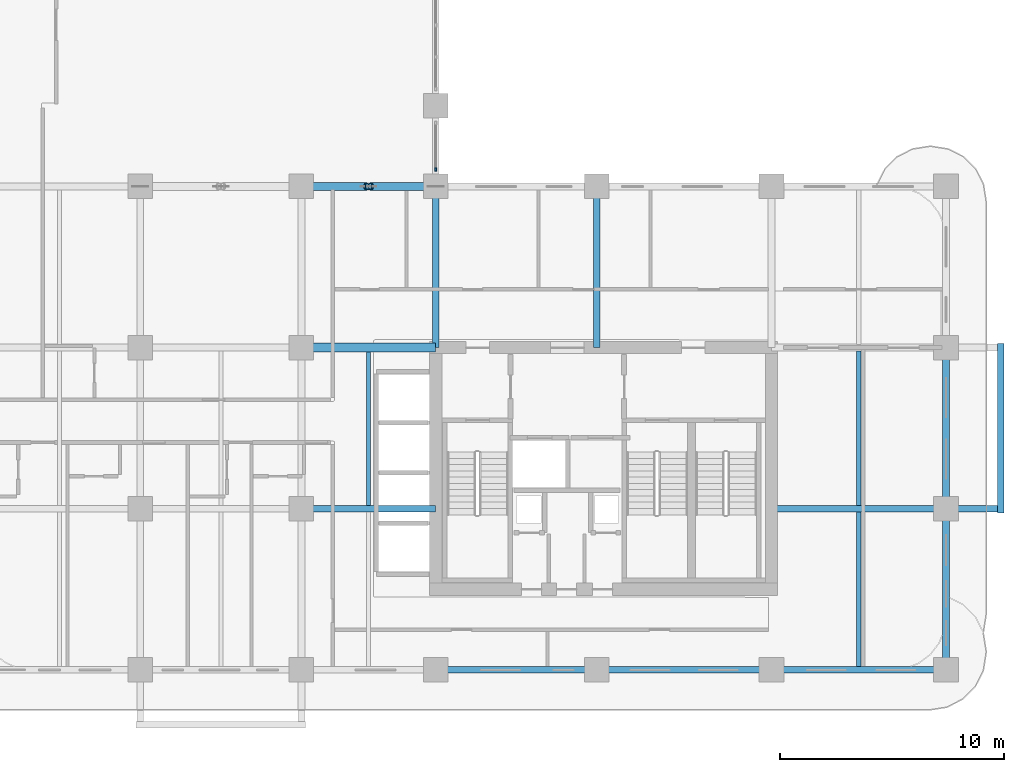
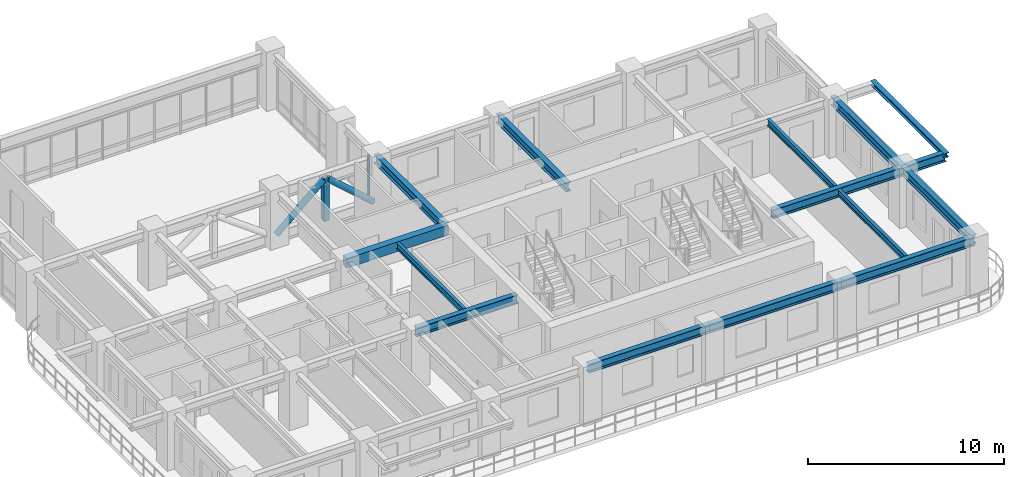
# One storey, part 3 of 21: 14 beams, 4 members, 1 element without a shape of its own.
"""IFC4 building model written with IfcOpenShell, lengths in metres."""

from ifc_helpers import new_model, si_unit, derived_unit, direction, frame, origin, origin_2d, place, context, subcontext, project, spatial, rectangle, hollow_rectangle, hollow_circle, i_section, extrude, source, transform, mapped, material, layer, layer_set, material_profile, profile_set, type_object, type_shapes, element, aggregate, save


model = new_model("IFC4")

# Units and contexts
model_context = context("Model", 3, precision=1e-05, world=origin(), true_north=direction((0.0, 1.0)))
body_context = subcontext(model_context, "Body", "Model", "MODEL_VIEW")
ifc_project = project(units=[si_unit("LENGTHUNIT", "METRE"), si_unit("AREAUNIT", "SQUARE_METRE"), si_unit("VOLUMEUNIT", "CUBIC_METRE"), si_unit("PLANEANGLEUNIT", "RADIAN"), si_unit("MASSUNIT", "GRAM", prefix="KILO"), si_unit("THERMODYNAMICTEMPERATUREUNIT", "KELVIN"), si_unit("POWERUNIT", "WATT"), derived_unit("THERMALTRANSMITTANCEUNIT", [(si_unit("POWERUNIT", "WATT"), 1), (si_unit("AREAUNIT", "SQUARE_METRE"), -1), (si_unit("THERMODYNAMICTEMPERATUREUNIT", "KELVIN"), -1)])], contexts=[model_context])

# Site, building, storey
site_placement = place(None, origin())
site = spatial("IfcSite", under=ifc_project, at=site_placement, CompositionType="ELEMENT")
building_placement = place(site_placement, origin())
building = spatial("IfcBuilding", under=site, at=building_placement, Name="Zahravan Archway Hotel and Residences", CompositionType="ELEMENT")
storey_placement = place(building_placement, frame((0.0, 0.0, 65.699951171875)))
storey = spatial("IfcBuildingStorey", under=building, at=storey_placement, Name="L15", CompositionType="ELEMENT", Elevation=65.699951171875)

# Beams
ifc_material_1 = material(Name="Structural Steel S355JR", Category="steel")
ifc_material_profile_1 = material_profile(ifc_material_1, i_section(OverallWidth=0.280029296875, OverallDepth=0.280029296875, WebThickness=0.010498046875, FlangeThickness=0.01806640625, FilletRadius=0.02392578125, at=origin_2d()), Name="HEB 280", Category="steel")
ifc_profile_set_1 = profile_set([ifc_material_profile_1], Name="Structural Steel S355JR")
beam_type_1 = type_object("IfcBeamType", Name="BM-SPN-HEB280", PredefinedType="SPANDREL", material=ifc_profile_set_1)
shared_shape_1 = source(origin(), body_context, "Body", "SweptSolid", [
    extrude(i_section(OverallWidth=0.280029296875, OverallDepth=0.280029296875, WebThickness=0.010498046875, FlangeThickness=0.01806640625, FilletRadius=0.02392578125, at=origin_2d()), origin(), (0.0, 0.0, 1.0), 7.56005859375),
])
type_shapes(beam_type_1, [shared_shape_1])
beam_1_placement = place(storey_placement, frame((60.050048828125, 7.02001953125, 3.31005859375), z_axis=(0.0, 1.0, 0.0), x_axis=(-1.0, 0.0, 0.0)))
element("IfcBeam", 1, at=beam_1_placement, inside=storey, type_object=beam_type_1, Name="L16 EA Balcony Edge Spandrel", PredefinedType="SPANDREL", context=body_context, shape_type="MappedRepresentation", body=[
    mapped(shared_shape_1, transform((0.0, 0.0, 0.0), scale=1.0)),
])
ifc_material_2 = material(Name="Concrete C60/75", Category="concrete")
ifc_material_profile_2 = material_profile(ifc_material_2, rectangle(XDim=0.39990234375, YDim=0.60009765625, at=origin_2d()), Name="RC-LNT-400x600", Category="concrete")
ifc_profile_set_2 = profile_set([ifc_material_profile_2], Name="Concrete C60/75")
beam_type_2 = type_object("IfcBeamType", Name="LNT-RC-400x600", PredefinedType="LINTEL", material=ifc_profile_set_2)
shared_shape_2 = source(origin(), body_context, "Body", "SweptSolid", [
    extrude(rectangle(XDim=0.39990234375, YDim=0.60009765625, at=origin_2d()), origin(), (0.0, 0.0, 1.0), 6.0),
])
type_shapes(beam_type_2, [shared_shape_2])
beam_2_placement = place(storey_placement, frame((28.800048828125, 14.39990234375, 3.150146484375), z_axis=(1.0, 0.0, 0.0), x_axis=(0.0, 1.0, 0.0)))
element("IfcBeam", 2, at=beam_2_placement, inside=storey, type_object=beam_type_2, Name="L15 Core A Coupling Lintel Beam", PredefinedType="LINTEL", context=body_context, shape_type="MappedRepresentation", body=[
    mapped(shared_shape_2, transform((0.0, 0.0, 0.0), scale=1.0)),
])
ifc_material_profile_3 = material_profile(ifc_material_1, i_section(OverallWidth=0.300048828125, OverallDepth=0.550048828125, WebThickness=0.014892578125, FlangeThickness=0.029052734375, FilletRadius=0.027099609375, at=origin_2d()), Name="HEB 550", Category="steel")
ifc_profile_set_3 = profile_set([ifc_material_profile_3], Name="Structural Steel S355JR")
beam_type_3 = type_object("IfcBeamType", Name="BM-PRI-HEB550", PredefinedType="BEAM", material=ifc_profile_set_3)
shared_shape_3 = source(origin(), body_context, "Body", "SweptSolid", [
    extrude(i_section(OverallWidth=0.300048828125, OverallDepth=0.550048828125, WebThickness=0.014892578125, FlangeThickness=0.029052734375, FilletRadius=0.027099609375, at=origin_2d()), origin(), (0.0, 0.0, 1.0), 7.2001953125),
])
type_shapes(beam_type_3, [shared_shape_3])
for number, where, z_axis, x_axis, name in (
    (3, (34.800048828125, 14.39990234375, 3.175048828125), (0.0, 1.0, 0.0), (-1.0, 0.0, 0.0), "L15 Primary Girder NS-43"),
    (4, (42.0, 14.39990234375, 3.175048828125), (0.0, 1.0, 0.0), (-1.0, 0.0, 0.0), "L15 Primary Girder NS-46"),
):
    element("IfcBeam", number, at=place(storey_placement, frame(where, z_axis=z_axis, x_axis=x_axis)), inside=storey, type_object=beam_type_3, Name=name, PredefinedType="BEAM", context=body_context, shape_type="MappedRepresentation", body=[
        mapped(shared_shape_3, transform((0.0, 0.0, 0.0), scale=1.0)),
    ])
shared_shape_4 = source(origin(), body_context, "Body", "SweptSolid", [
    extrude(i_section(OverallWidth=0.300048828125, OverallDepth=0.550048828125, WebThickness=0.014892578125, FlangeThickness=0.029052734375, FilletRadius=0.027099609375, at=origin_2d()), origin(), (0.0, 0.0, 1.0), 7.199951171875),
])
for number, where, z_axis, x_axis, name in (
    (5, (34.800048828125, 0.0, 3.175048828125), (1.0, 0.0, 0.0), (0.0, 1.0, 0.0), "L15 Primary Girder EW-04"),
    (6, (57.60009765625, 0.0, 3.175048828125), (0.0, 1.0, 0.0), (-1.0, 0.0, 0.0), "L15 Primary Girder NS-48"),
    (7, (57.60009765625, 7.199951171875, 3.175048828125), (0.0, 1.0, 0.0), (-1.0, 0.0, 0.0), "L15 Primary Girder NS-49"),
):
    element("IfcBeam", number, at=place(storey_placement, frame(where, z_axis=z_axis, x_axis=x_axis)), inside=storey, type_object=beam_type_3, Name=name, PredefinedType="BEAM", context=body_context, shape_type="MappedRepresentation", body=[
        mapped(shared_shape_4, transform((0.0, 0.0, 0.0), scale=1.0)),
    ])
shared_shape_5 = source(origin(), body_context, "Body", "SweptSolid", [
    extrude(i_section(OverallWidth=0.300048828125, OverallDepth=0.550048828125, WebThickness=0.014892578125, FlangeThickness=0.029052734375, FilletRadius=0.027099609375, at=origin_2d()), origin(), (0.0, 0.0, 1.0), 6.0),
])
beam_3_placement = place(storey_placement, frame((28.800048828125, 7.199951171875, 3.175048828125), z_axis=(1.0, 0.0, 0.0), x_axis=(0.0, 1.0, 0.0)))
element("IfcBeam", 8, at=beam_3_placement, inside=storey, type_object=beam_type_3, Name="L15 Primary Girder EW-09", PredefinedType="BEAM", context=body_context, shape_type="MappedRepresentation", body=[
    mapped(shared_shape_5, transform((0.0, 0.0, 0.0), scale=1.0)),
])
shared_shape_6 = source(origin(), body_context, "Body", "SweptSolid", [
    extrude(i_section(OverallWidth=0.300048828125, OverallDepth=0.550048828125, WebThickness=0.014892578125, FlangeThickness=0.029052734375, FilletRadius=0.027099609375, at=origin_2d()), origin(), (0.0, 0.0, 1.0), 7.800048828125),
])
for number, where, z_axis, x_axis, name in (
    (9, (42.0, 0.0, 3.175048828125), (1.0, 0.0, 0.0), (0.0, 1.0, 0.0), "L15 Primary Girder EW-05"),
    (10, (49.800048828125, 0.0, 3.175048828125), (1.0, 0.0, 0.0), (0.0, 1.0, 0.0), "L15 Primary Girder EW-06"),
):
    element("IfcBeam", number, at=place(storey_placement, frame(where, z_axis=z_axis, x_axis=x_axis)), inside=storey, type_object=beam_type_3, Name=name, PredefinedType="BEAM", context=body_context, shape_type="MappedRepresentation", body=[
        mapped(shared_shape_6, transform((0.0, 0.0, 0.0), scale=1.0)),
    ])
ifc_material_profile_4 = material_profile(ifc_material_1, i_section(OverallWidth=0.179931640625, OverallDepth=0.39990234375, WebThickness=0.008544921875, FlangeThickness=0.013427734375, FilletRadius=0.02099609375, at=origin_2d()), Name="IPE 400", Category="steel")
ifc_profile_set_4 = profile_set([ifc_material_profile_4], Name="Structural Steel S355JR")
beam_type_4 = type_object("IfcBeamType", Name="BM-JST-IPE400", PredefinedType="JOIST", material=ifc_profile_set_4)
shared_shape_7 = source(origin(), body_context, "Body", "SweptSolid", [
    extrude(i_section(OverallWidth=0.179931640625, OverallDepth=0.39990234375, WebThickness=0.008544921875, FlangeThickness=0.013427734375, FilletRadius=0.02099609375, at=origin_2d()), origin(), (0.0, 0.0, 1.0), 6.904052734375),
])
type_shapes(beam_type_4, [shared_shape_7])
for number, where, z_axis, x_axis, name in (
    (11, (53.699951171875, 0.14794921875, 3.25), (0.0, 1.0, 0.0), (-1.0, 0.0, 0.0), "L15 Composite Floor Joist 04"),
    (12, (53.699951171875, 7.347900390625, 3.25), (0.0, 1.0, 0.0), (-1.0, 0.0, 0.0), "L15 Composite Floor Joist 08"),
):
    element("IfcBeam", number, at=place(storey_placement, frame(where, z_axis=z_axis, x_axis=x_axis)), inside=storey, type_object=beam_type_4, Name=name, PredefinedType="JOIST", context=body_context, shape_type="MappedRepresentation", body=[
        mapped(shared_shape_7, transform((0.0, 0.0, 0.0), scale=1.0)),
    ])
shared_shape_8 = source(origin(), body_context, "Body", "SweptSolid", [
    extrude(i_section(OverallWidth=0.179931640625, OverallDepth=0.39990234375, WebThickness=0.008544921875, FlangeThickness=0.013427734375, FilletRadius=0.02099609375, at=origin_2d()), origin(), (0.0, 0.0, 1.0), 6.85400390625),
])
beam_4_placement = place(storey_placement, frame((31.800048828125, 7.347900390625, 3.25), z_axis=(0.0, 1.0, 0.0), x_axis=(-1.0, 0.0, 0.0)))
element("IfcBeam", 13, at=beam_4_placement, inside=storey, type_object=beam_type_4, Name="L15 Composite Floor Joist 07", PredefinedType="JOIST", context=body_context, shape_type="MappedRepresentation", body=[
    mapped(shared_shape_8, transform((0.0, 0.0, 0.0), scale=1.0)),
])
shared_shape_9 = source(origin(), body_context, "Body", "SweptSolid", [
    extrude(i_section(OverallWidth=0.300048828125, OverallDepth=0.550048828125, WebThickness=0.014892578125, FlangeThickness=0.029052734375, FilletRadius=0.027099609375, at=origin_2d()), origin(), (0.0, 0.0, 1.0), 10.25),
])
beam_5_placement = place(storey_placement, frame((49.800048828125, 7.199951171875, 3.175048828125), z_axis=(1.0, 0.0, 0.0), x_axis=(0.0, 1.0, 0.0)))
element("IfcBeam", 14, at=beam_5_placement, inside=storey, type_object=beam_type_3, Name="L15 Primary Girder EW-10", PredefinedType="BEAM", context=body_context, shape_type="MappedRepresentation", body=[
    mapped(shared_shape_9, transform((0.0, 0.0, 0.0), scale=1.0)),
])

# Members
ifc_material_3 = material(Name="Structural Steel S355J2", Category="steel")
ifc_material_profile_5 = material_profile(ifc_material_3, hollow_rectangle(XDim=0.300048828125, YDim=0.300048828125, WallThickness=0.01611328125, at=origin_2d()), Name="SHS 300x300x16", Category="steel")
ifc_profile_set_5 = profile_set([ifc_material_profile_5], Name="Structural Steel S355J2")
member_type_1 = type_object("IfcMemberType", Name="MEM-POST-SHS300", PredefinedType="POST", material=ifc_profile_set_5)
shared_shape_10 = source(origin(), body_context, "Body", "SweptSolid", [
    extrude(hollow_rectangle(XDim=0.300048828125, YDim=0.300048828125, WallThickness=0.01611328125, at=origin_2d()), origin(), (0.0, 0.0, 1.0), 2.64990234375),
])
type_shapes(member_type_1, [shared_shape_10])
member_1_placement = place(storey_placement, frame((31.800048828125, 21.60009765625, 0.35009765625), z_axis=(0.0, 0.0, 1.0), x_axis=(1.0, 0.0, 0.0)))
element("IfcMember", 15, at=member_1_placement, inside=storey, type_object=member_type_1, Name="L15 Sky-Bridge Truss Post 3", PredefinedType="POST", context=body_context, shape_type="MappedRepresentation", body=[
    mapped(shared_shape_10, transform((0.0, 0.0, 0.0), scale=1.0)),
])
ifc_material_profile_6 = material_profile(ifc_material_3, hollow_circle(Radius=0.177734375, WallThickness=0.01611328125, at=origin_2d()), Name="CHS 355.6x16", Category="steel")
ifc_profile_set_6 = profile_set([ifc_material_profile_6], Name="Structural Steel S355J2")
member_type_2 = type_object("IfcMemberType", Name="MEM-DIAG-CHS355", PredefinedType="BRACE", material=ifc_profile_set_6)
shared_shape_11 = source(origin(), body_context, "Body", "SweptSolid", [
    extrude(hollow_circle(Radius=0.177734375, WallThickness=0.01611328125, at=origin_2d()), origin(), (0.0, 0.0, 1.0), 3.72314453125),
])
member_2_placement = place(storey_placement, frame((28.90478515625, 21.60009765625, 0.442626953125), z_axis=(0.749460739132, 0.0, 0.66204879012), x_axis=(0.0, 1.0, 0.0)))
element("IfcMember", 16, at=member_2_placement, inside=storey, type_object=member_type_2, Name="L15 Sky-Bridge Truss Diagonal 3", PredefinedType="BRACE", context=body_context, shape_type="MappedRepresentation", body=[
    mapped(shared_shape_11, transform((0.0, 0.0, 0.0), scale=1.0)),
])
shared_shape_12 = source(origin(), body_context, "Body", "SweptSolid", [
    extrude(hollow_circle(Radius=0.177734375, WallThickness=0.01611328125, at=origin_2d()), origin(), (0.0, 0.0, 1.0), 3.5830078125),
])
member_3_placement = place(storey_placement, frame((31.90478515625, 21.60009765625, 2.907470703125), z_axis=(0.749465886399, 0.0, -0.662042963201), x_axis=(0.0, 1.0, 0.0)))
element("IfcMember", 17, at=member_3_placement, inside=storey, type_object=member_type_2, Name="L15 Sky-Bridge Truss Diagonal 4", PredefinedType="BRACE", context=body_context, shape_type="MappedRepresentation", body=[
    mapped(shared_shape_12, transform((0.0, 0.0, 0.0), scale=1.0)),
])

# Curtain wall, member
ifc_material_4 = material(Name="Bronze-Anodized Unitised Aluminium & Low-E Glass", Category="aluminium")
ifc_layer = layer(ifc_material_4, 0.179931640625, Name="Bronze-Anodized Unitised Aluminium & Low-E Glass", Category="aluminium")
ifc_layer_set = layer_set([ifc_layer], Name="Bronze-Anodized Unitised Aluminium & Low-E Glass")
curtain_wall_type = type_object("IfcCurtainWallType", Name="CW-SBG-1", PredefinedType="NOTDEFINED", material=ifc_layer_set)
curtain_wall_placement = place(storey_placement, origin())
curtain_wall = element("IfcCurtainWall", 18, at=curtain_wall_placement, inside=storey, type_object=curtain_wall_type, Name="L15 Curtain Wall CW-L15-HNG-E-1", PredefinedType="NOTDEFINED")
ifc_material_5 = material(Name="Bronze-Anodized Extruded Aluminium", Category="aluminium")
ifc_material_profile_7 = material_profile(ifc_material_5, rectangle(XDim=0.080078125, YDim=0.159912109375, at=origin_2d()), Name="MUL 80x160", Category="aluminium")
ifc_profile_set_7 = profile_set([ifc_material_profile_7], Name="Bronze-Anodized Extruded Aluminium")
member_type_3 = type_object("IfcMemberType", Name="CWM-MUL-160", PredefinedType="MULLION", material=ifc_profile_set_7)
shared_shape_13 = source(origin(), body_context, "Body", "SweptSolid", [
    extrude(rectangle(XDim=0.080078125, YDim=0.159912109375, at=origin_2d()), origin(), (0.0, 0.0, 1.0), 2.885009765625),
])
member_4_placement = place(storey_placement, frame((34.800048828125, 22.360107421875, 0.0), z_axis=(0.0, 0.0, 1.0), x_axis=(1.0, 0.0, 0.0)))
member_4 = element("IfcMember", 19, at=member_4_placement, type_object=member_type_3, Name="CW-L15-HNG-E-1 Mullion 0", PredefinedType="MULLION", context=body_context, shape_type="MappedRepresentation", body=[
    mapped(shared_shape_13, transform((0.0, 0.0, 0.0), scale=1.0)),
])
aggregate(curtain_wall, [member_4])

save(model, "model.ifc")
